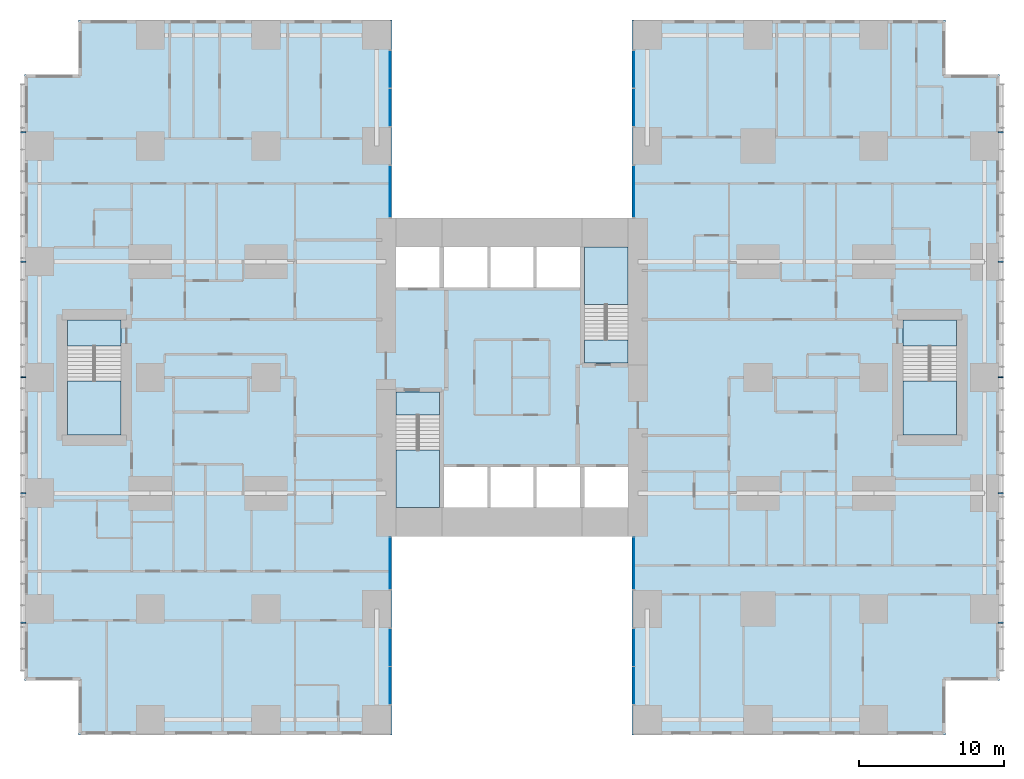
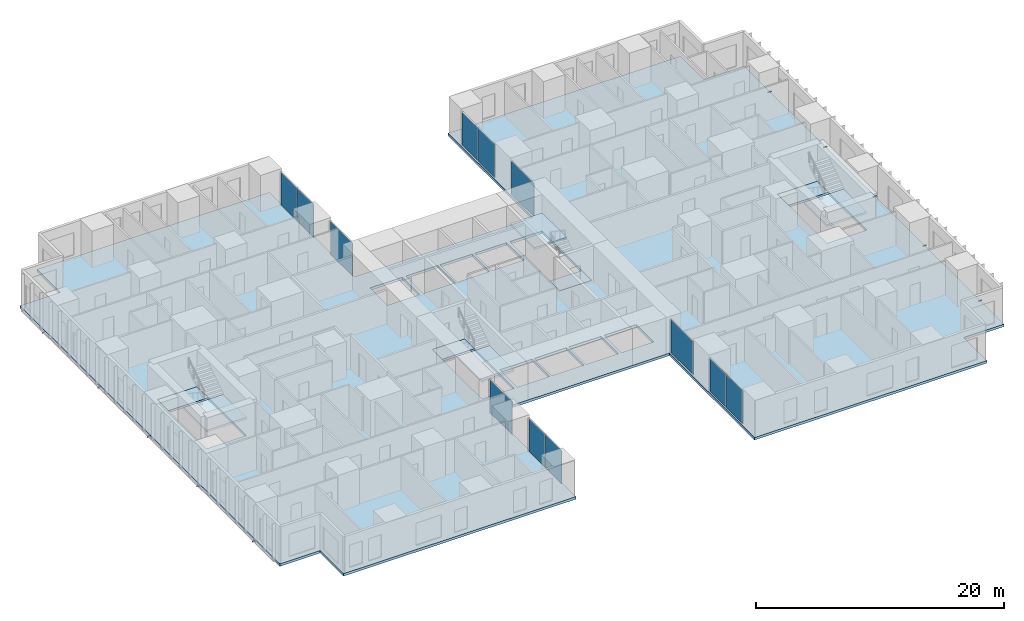
# One storey, part 7 of 21: 12 plates, 10 members, 9 slabs, 12 elements without a shape of their own.
"""IFC4 building model written with IfcOpenShell, lengths in metres."""

from ifc_helpers import new_model, si_unit, direction, frame, origin, origin_2d, place, context, subcontext, project, spatial, polyline, rectangle, hollow_rectangle, outline, extrude, material, layer, layer_set, material_profile, profile_set, type_object, element, aggregate, save


model = new_model("IFC4")

# Units and contexts
model_context = context("Model", 3, precision=1e-05, world=origin(), true_north=direction((0.0, 1.0)))
body_context = subcontext(model_context, "Body", "Model", "MODEL_VIEW")
ifc_project = project(units=[si_unit("LENGTHUNIT", "METRE"), si_unit("AREAUNIT", "SQUARE_METRE"), si_unit("VOLUMEUNIT", "CUBIC_METRE"), si_unit("PLANEANGLEUNIT", "RADIAN"), si_unit("MASSUNIT", "GRAM", prefix="KILO")], contexts=[model_context])

# Site, building, storey
site_placement = place(None, origin())
site = spatial("IfcSite", under=ifc_project, at=site_placement, CompositionType="ELEMENT")
building_placement = place(site_placement, origin())
building = spatial("IfcBuilding", under=site, at=building_placement, Name="Cleftline Residences", CompositionType="ELEMENT")
storey_placement = place(building_placement, frame((0.0, 0.0, 161.0)))
storey = spatial("IfcBuildingStorey", under=building, at=storey_placement, Name="L42", CompositionType="ELEMENT", Elevation=161.0)

# Members
ifc_material_1 = material(Name="Steel S355, hot-dip galvanised", Category="steel")
ifc_material_profile = material_profile(ifc_material_1, hollow_rectangle(XDim=0.10009765625, YDim=0.10009765625, WallThickness=0.008056640625, InnerFilletRadius=0.008056640625, OuterFilletRadius=0.011962890625, at=origin_2d()))
ifc_profile_set = profile_set([ifc_material_profile], Name="Steel S355, hot-dip galvanised")
member_type = type_object("IfcMemberType", Name="BAGUETTE BRACKET SHS 100X100X8", PredefinedType="USERDEFINED", material=ifc_profile_set)
for number, where, z_axis, x_axis, name in (
    (1, (66.60009765625, 7.050048828125, -0.14990234375), (1.0, 0.0, 0.0), (0.0, 1.0, 0.0), "Baguette bracket"),
    (2, (66.60009765625, 16.0, -0.14990234375), (1.0, 0.0, 0.0), (0.0, 1.0, 0.0), "Baguette bracket"),
    (3, (66.60009765625, 24.0, -0.14990234375), (1.0, 0.0, 0.0), (0.0, 1.0, 0.0), "Baguette bracket"),
    (4, (66.60009765625, 32.0, -0.14990234375), (1.0, 0.0, 0.0), (0.0, 1.0, 0.0), "Baguette bracket"),
    (5, (66.60009765625, 40.949951171875, -0.14990234375), (1.0, 0.0, 0.0), (0.0, 1.0, 0.0), "Baguette bracket"),
    (6, (-0.60009765625, 40.949951171875, -0.14990234375), (-1.0, 0.0, 0.0), (0.0, -1.0, 0.0), "Baguette bracket"),
    (7, (-0.60009765625, 32.0, -0.14990234375), (-1.0, 0.0, 0.0), (0.0, -1.0, 0.0), "Baguette bracket"),
    (8, (-0.60009765625, 24.0, -0.14990234375), (-1.0, 0.0, 0.0), (0.0, -1.0, 0.0), "Baguette bracket"),
    (9, (-0.60009765625, 16.0, -0.14990234375), (-1.0, 0.0, 0.0), (0.0, -1.0, 0.0), "Baguette bracket"),
    (10, (-0.60009765625, 7.050048828125, -0.14990234375), (-1.0, 0.0, 0.0), (0.0, -1.0, 0.0), "Baguette bracket"),
):
    element("IfcMember", number, at=place(storey_placement, frame(where, z_axis=z_axis, x_axis=x_axis)), inside=storey, type_object=member_type, Name=name, ObjectType="BAGUETTE BRACKET", PredefinedType="USERDEFINED", context=body_context, shape_type="SweptSolid", body=[
        extrude(hollow_rectangle(XDim=0.10009765625, YDim=0.10009765625, WallThickness=0.008056640625, InnerFilletRadius=0.008056640625, OuterFilletRadius=0.011962890625, at=origin_2d()), origin(), (0.0, 0.0, 1.0), 0.349853515625),
    ])

# Curtain wall, plates
ifc_material_2 = material(Name="Aluminium framed curtain wall", Category="aluminium")
ifc_layer_1 = layer(ifc_material_2, 0.199951171875)
ifc_layer_set_1 = layer_set([ifc_layer_1], Name="CW1 CLEFT GLAZING")
curtain_wall_type = type_object("IfcCurtainWallType", Name="CW1 CLEFT GLAZING", PredefinedType="NOTDEFINED", material=ifc_layer_set_1)
curtain_wall_1_placement = place(storey_placement, origin())
curtain_wall_1 = element("IfcCurtainWall", 11, at=curtain_wall_1_placement, inside=storey, type_object=curtain_wall_type, Name="Curtain wall CW1", PredefinedType="NOTDEFINED")
ifc_material_3 = material(Name="Laminated clear glass", Category="glass")
ifc_layer_2 = layer(ifc_material_3, 0.028076171875)
ifc_layer_set_2 = layer_set([ifc_layer_2], Name="CW1 GLASS PANEL")
plate_type = type_object("IfcPlateType", Name="CW1 GLASS PANEL", PredefinedType="CURTAIN_PANEL", material=ifc_layer_set_2)
plate_1_placement = place(storey_placement, frame((24.574951171875, 2.702392578125, 0.06005859375), z_axis=(0.0, 0.0, 1.0), x_axis=(0.0, 1.0, 0.0)))
plate_1 = element("IfcPlate", 12, at=plate_1_placement, type_object=plate_type, Name="CW1 panel 1.1", PredefinedType="CURTAIN_PANEL", context=body_context, shape_type="SweptSolid", body=[
    extrude(rectangle(XDim=2.5849609375, YDim=0.028076171875, at=origin_2d()), origin(), (0.0, 0.0, 1.0), 3.22998046875),
])
plate_2_placement = place(storey_placement, frame((24.574951171875, 5.347412109375, 0.06005859375), z_axis=(0.0, 0.0, 1.0), x_axis=(0.0, 1.0, 0.0)))
plate_2 = element("IfcPlate", 13, at=plate_2_placement, type_object=plate_type, Name="CW1 panel 2.1", PredefinedType="CURTAIN_PANEL", context=body_context, shape_type="SweptSolid", body=[
    extrude(rectangle(XDim=2.5849609375, YDim=0.028076171875, at=origin_2d()), origin(), (0.0, 0.0, 1.0), 3.22998046875),
])
aggregate(curtain_wall_1, [plate_1, plate_2])

# Curtain wall, plate
curtain_wall_2_placement = place(storey_placement, origin())
curtain_wall_2 = element("IfcCurtainWall", 14, at=curtain_wall_2_placement, inside=storey, type_object=curtain_wall_type, Name="Curtain wall CW1", PredefinedType="NOTDEFINED")
plate_3_placement = place(storey_placement, frame((24.574951171875, 11.14990234375, 0.06005859375), z_axis=(0.0, 0.0, 1.0), x_axis=(0.0, 1.0, 0.0)))
plate_3 = element("IfcPlate", 15, at=plate_3_placement, type_object=plate_type, Name="CW1 panel 1.1", PredefinedType="CURTAIN_PANEL", context=body_context, shape_type="SweptSolid", body=[
    extrude(rectangle(XDim=3.580078125, YDim=0.028076171875, at=origin_2d()), origin(), (0.0, 0.0, 1.0), 3.22998046875),
])
aggregate(curtain_wall_2, [plate_3])

curtain_wall_3_placement = place(storey_placement, origin())
curtain_wall_3 = element("IfcCurtainWall", 16, at=curtain_wall_3_placement, inside=storey, type_object=curtain_wall_type, Name="Curtain wall CW1", PredefinedType="NOTDEFINED")
plate_4_placement = place(storey_placement, frame((41.425048828125, 11.14990234375, 0.06005859375), z_axis=(0.0, 0.0, 1.0), x_axis=(0.0, -1.0, 0.0)))
plate_4 = element("IfcPlate", 17, at=plate_4_placement, type_object=plate_type, Name="CW1 panel 1.1", PredefinedType="CURTAIN_PANEL", context=body_context, shape_type="SweptSolid", body=[
    extrude(rectangle(XDim=3.580078125, YDim=0.028076171875, at=origin_2d()), origin(), (0.0, 0.0, 1.0), 3.22998046875),
])
aggregate(curtain_wall_3, [plate_4])

# Curtain wall, plates
curtain_wall_4_placement = place(storey_placement, origin())
curtain_wall_4 = element("IfcCurtainWall", 18, at=curtain_wall_4_placement, inside=storey, type_object=curtain_wall_type, Name="Curtain wall CW1", PredefinedType="NOTDEFINED")
plate_5_placement = place(storey_placement, frame((41.425048828125, 5.347412109375, 0.06005859375), z_axis=(0.0, 0.0, 1.0), x_axis=(0.0, -1.0, 0.0)))
plate_5 = element("IfcPlate", 19, at=plate_5_placement, type_object=plate_type, Name="CW1 panel 1.1", PredefinedType="CURTAIN_PANEL", context=body_context, shape_type="SweptSolid", body=[
    extrude(rectangle(XDim=2.5849609375, YDim=0.028076171875, at=origin_2d()), origin(), (0.0, 0.0, 1.0), 3.22998046875),
])
plate_6_placement = place(storey_placement, frame((41.425048828125, 2.702392578125, 0.06005859375), z_axis=(0.0, 0.0, 1.0), x_axis=(0.0, -1.0, 0.0)))
plate_6 = element("IfcPlate", 20, at=plate_6_placement, type_object=plate_type, Name="CW1 panel 2.1", PredefinedType="CURTAIN_PANEL", context=body_context, shape_type="SweptSolid", body=[
    extrude(rectangle(XDim=2.5849609375, YDim=0.028076171875, at=origin_2d()), origin(), (0.0, 0.0, 1.0), 3.22998046875),
])
aggregate(curtain_wall_4, [plate_5, plate_6])

curtain_wall_5_placement = place(storey_placement, origin())
curtain_wall_5 = element("IfcCurtainWall", 21, at=curtain_wall_5_placement, inside=storey, type_object=curtain_wall_type, Name="Curtain wall CW1", PredefinedType="NOTDEFINED")
plate_7_placement = place(storey_placement, frame((41.425048828125, 45.297607421875, 0.06005859375), z_axis=(0.0, 0.0, 1.0), x_axis=(0.0, -1.0, 0.0)))
plate_7 = element("IfcPlate", 22, at=plate_7_placement, type_object=plate_type, Name="CW1 panel 1.1", PredefinedType="CURTAIN_PANEL", context=body_context, shape_type="SweptSolid", body=[
    extrude(rectangle(XDim=2.5849609375, YDim=0.028076171875, at=origin_2d()), origin(), (0.0, 0.0, 1.0), 3.22998046875),
])
plate_8_placement = place(storey_placement, frame((41.425048828125, 42.652587890625, 0.06005859375), z_axis=(0.0, 0.0, 1.0), x_axis=(0.0, -1.0, 0.0)))
plate_8 = element("IfcPlate", 23, at=plate_8_placement, type_object=plate_type, Name="CW1 panel 2.1", PredefinedType="CURTAIN_PANEL", context=body_context, shape_type="SweptSolid", body=[
    extrude(rectangle(XDim=2.5849609375, YDim=0.028076171875, at=origin_2d()), origin(), (0.0, 0.0, 1.0), 3.22998046875),
])
aggregate(curtain_wall_5, [plate_7, plate_8])

# Curtain wall, plate
curtain_wall_6_placement = place(storey_placement, origin())
curtain_wall_6 = element("IfcCurtainWall", 24, at=curtain_wall_6_placement, inside=storey, type_object=curtain_wall_type, Name="Curtain wall CW1", PredefinedType="NOTDEFINED")
plate_9_placement = place(storey_placement, frame((41.425048828125, 36.85009765625, 0.06005859375), z_axis=(0.0, 0.0, 1.0), x_axis=(0.0, -1.0, 0.0)))
plate_9 = element("IfcPlate", 25, at=plate_9_placement, type_object=plate_type, Name="CW1 panel 1.1", PredefinedType="CURTAIN_PANEL", context=body_context, shape_type="SweptSolid", body=[
    extrude(rectangle(XDim=3.580078125, YDim=0.028076171875, at=origin_2d()), origin(), (0.0, 0.0, 1.0), 3.22998046875),
])
aggregate(curtain_wall_6, [plate_9])

curtain_wall_7_placement = place(storey_placement, origin())
curtain_wall_7 = element("IfcCurtainWall", 26, at=curtain_wall_7_placement, inside=storey, type_object=curtain_wall_type, Name="Curtain wall CW1", PredefinedType="NOTDEFINED")
plate_10_placement = place(storey_placement, frame((24.574951171875, 36.85009765625, 0.06005859375), z_axis=(0.0, 0.0, 1.0), x_axis=(0.0, 1.0, 0.0)))
plate_10 = element("IfcPlate", 27, at=plate_10_placement, type_object=plate_type, Name="CW1 panel 1.1", PredefinedType="CURTAIN_PANEL", context=body_context, shape_type="SweptSolid", body=[
    extrude(rectangle(XDim=3.580078125, YDim=0.028076171875, at=origin_2d()), origin(), (0.0, 0.0, 1.0), 3.22998046875),
])
aggregate(curtain_wall_7, [plate_10])

# Curtain wall, plates
curtain_wall_8_placement = place(storey_placement, origin())
curtain_wall_8 = element("IfcCurtainWall", 28, at=curtain_wall_8_placement, inside=storey, type_object=curtain_wall_type, Name="Curtain wall CW1", PredefinedType="NOTDEFINED")
plate_11_placement = place(storey_placement, frame((24.574951171875, 42.652587890625, 0.06005859375), z_axis=(0.0, 0.0, 1.0), x_axis=(0.0, 1.0, 0.0)))
plate_11 = element("IfcPlate", 29, at=plate_11_placement, type_object=plate_type, Name="CW1 panel 1.1", PredefinedType="CURTAIN_PANEL", context=body_context, shape_type="SweptSolid", body=[
    extrude(rectangle(XDim=2.5849609375, YDim=0.028076171875, at=origin_2d()), origin(), (0.0, 0.0, 1.0), 3.22998046875),
])
plate_12_placement = place(storey_placement, frame((24.574951171875, 45.297607421875, 0.06005859375), z_axis=(0.0, 0.0, 1.0), x_axis=(0.0, 1.0, 0.0)))
plate_12 = element("IfcPlate", 30, at=plate_12_placement, type_object=plate_type, Name="CW1 panel 2.1", PredefinedType="CURTAIN_PANEL", context=body_context, shape_type="SweptSolid", body=[
    extrude(rectangle(XDim=2.5849609375, YDim=0.028076171875, at=origin_2d()), origin(), (0.0, 0.0, 1.0), 3.22998046875),
])
aggregate(curtain_wall_8, [plate_11, plate_12])

# Slab
ifc_material_4 = material(Name="Concrete B45", Category="concrete")
ifc_layer_3 = layer(ifc_material_4, 0.25)
ifc_layer_set_3 = layer_set([ifc_layer_3], Name="FLOOR SLAB 250")
slab_type_1 = type_object("IfcSlabType", Name="FLOOR SLAB 250", PredefinedType="FLOOR", material=ifc_layer_set_3)
slab_1_placement = place(storey_placement, frame((0.0, 0.0, -0.25)))
element("IfcSlab", 31, at=slab_1_placement, inside=storey, type_object=slab_type_1, Name="Floor slab L42", PredefinedType="FLOOR", context=body_context, shape_type="SweptSolid", body=[
    extrude(outline(polyline([(24.699951171875, 13.0), (41.300048828125, 13.0), (41.300048828125, -0.699951171875), (62.949951171875, -0.699951171875), (62.949951171875, 3.050048828125), (66.699951171875, 3.050048828125), (66.699951171875, 44.949951171875), (62.949951171875, 44.949951171875), (62.949951171875, 48.699951171875), (41.300048828125, 48.699951171875), (41.300048828125, 35.0), (24.699951171875, 35.0), (24.699951171875, 48.699951171875), (3.050048828125, 48.699951171875), (3.050048828125, 44.949951171875), (-0.699951171875, 44.949951171875), (-0.699951171875, 3.050048828125), (3.050048828125, 3.050048828125), (3.050048828125, -0.699951171875), (24.699951171875, -0.699951171875), (24.699951171875, 13.0)]), holes=[polyline([(28.0, 15.0), (28.0, 23.0), (25.0, 23.0), (25.0, 15.0), (28.0, 15.0)]), polyline([(41.0, 25.0), (41.0, 33.0), (38.0, 33.0), (38.0, 25.0), (41.0, 25.0)]), polyline([(28.0, 30.199951171875), (28.0, 33.0), (25.0, 33.0), (25.0, 30.199951171875), (28.0, 30.199951171875)]), polyline([(41.0, 15.0), (41.0, 17.800048828125), (38.0, 17.800048828125), (38.0, 15.0), (41.0, 15.0)]), polyline([(31.300048828125, 15.0), (31.300048828125, 17.800048828125), (28.300048828125, 17.800048828125), (28.300048828125, 15.0), (31.300048828125, 15.0)]), polyline([(34.5, 15.0), (34.5, 17.800048828125), (31.5, 17.800048828125), (31.5, 15.0), (34.5, 15.0)]), polyline([(37.699951171875, 15.0), (37.699951171875, 17.800048828125), (34.699951171875, 17.800048828125), (34.699951171875, 15.0), (37.699951171875, 15.0)]), polyline([(31.300048828125, 30.199951171875), (31.300048828125, 33.0), (28.300048828125, 33.0), (28.300048828125, 30.199951171875), (31.300048828125, 30.199951171875)]), polyline([(34.5, 30.199951171875), (34.5, 33.0), (31.5, 33.0), (31.5, 30.199951171875), (34.5, 30.199951171875)]), polyline([(37.699951171875, 30.199951171875), (37.699951171875, 33.0), (34.699951171875, 33.0), (34.699951171875, 30.199951171875), (37.699951171875, 30.199951171875)]), polyline([(63.72509765625, 20.02490234375), (63.72509765625, 27.97509765625), (60.02490234375, 27.97509765625), (60.02490234375, 20.02490234375), (63.72509765625, 20.02490234375)]), polyline([(5.97509765625, 20.02490234375), (5.97509765625, 27.97509765625), (2.27490234375, 27.97509765625), (2.27490234375, 20.02490234375), (5.97509765625, 20.02490234375)])]), origin(), (0.0, 0.0, 1.0), 0.25),
])

# Stair, slabs
ifc_material_5 = material(Name="Concrete B45, stone treads", Category="masonry")
stair_type_1 = type_object("IfcStairType", Name="STAIR A 1450 WIDE 180 RISER", PredefinedType="HALF_TURN_STAIR", material=ifc_material_5)
stair_1_placement = place(storey_placement, origin())
stair_1 = element("IfcStair", 32, at=stair_1_placement, inside=storey, type_object=stair_type_1, Name="Stair A L42", PredefinedType="HALF_TURN_STAIR")
ifc_material_6 = material(Name="Concrete B45", Category="concrete")
ifc_layer_4 = layer(ifc_material_6, 0.199951171875)
ifc_layer_set_4 = layer_set([ifc_layer_4], Name="STAIR LANDING 200")
slab_type_2 = type_object("IfcSlabType", Name="STAIR LANDING 200", PredefinedType="LANDING", material=ifc_layer_set_4)
slab_2_placement = place(storey_placement, frame((0.0, 0.0, -0.199951171875)))
slab_2 = element("IfcSlab", 33, at=slab_2_placement, type_object=slab_type_2, Name="ST-A landing 1", PredefinedType="LANDING", context=body_context, shape_type="SweptSolid", body=[
    extrude(outline(polyline([(25.0, 21.39990234375), (28.0, 21.39990234375), (28.0, 23.0), (25.0, 23.0), (25.0, 21.39990234375)])), origin(), (0.0, 0.0, 1.0), 0.199951171875),
])
slab_3_placement = place(storey_placement, frame((0.0, 0.0, 1.60009765625)))
slab_3 = element("IfcSlab", 34, at=slab_3_placement, type_object=slab_type_2, Name="ST-A landing 2", PredefinedType="LANDING", context=body_context, shape_type="SweptSolid", body=[
    extrude(outline(polyline([(25.0, 15.0), (28.0, 15.0), (28.0, 18.969970703125), (25.0, 18.969970703125), (25.0, 15.0)])), origin(), (0.0, 0.0, 1.0), 0.199951171875),
])
aggregate(stair_1, [slab_2, slab_3])

ifc_material_7 = material(Name="Concrete B45, stone treads", Category="masonry")
stair_type_2 = type_object("IfcStairType", Name="STAIR B 1450 WIDE 180 RISER", PredefinedType="HALF_TURN_STAIR", material=ifc_material_7)
stair_2_placement = place(storey_placement, origin())
stair_2 = element("IfcStair", 35, at=stair_2_placement, inside=storey, type_object=stair_type_2, Name="Stair B L42", PredefinedType="HALF_TURN_STAIR")
slab_4_placement = place(storey_placement, frame((0.0, 0.0, -0.199951171875)))
slab_4 = element("IfcSlab", 36, at=slab_4_placement, type_object=slab_type_2, Name="ST-B landing 1", PredefinedType="LANDING", context=body_context, shape_type="SweptSolid", body=[
    extrude(outline(polyline([(38.0, 25.0), (41.0, 25.0), (41.0, 26.60009765625), (38.0, 26.60009765625), (38.0, 25.0)])), origin(), (0.0, 0.0, 1.0), 0.199951171875),
])
slab_5_placement = place(storey_placement, frame((0.0, 0.0, 1.60009765625)))
slab_5 = element("IfcSlab", 37, at=slab_5_placement, type_object=slab_type_2, Name="ST-B landing 2", PredefinedType="LANDING", context=body_context, shape_type="SweptSolid", body=[
    extrude(outline(polyline([(38.0, 29.030029296875), (41.0, 29.030029296875), (41.0, 33.0), (38.0, 33.0), (38.0, 29.030029296875)])), origin(), (0.0, 0.0, 1.0), 0.199951171875),
])
aggregate(stair_2, [slab_4, slab_5])

ifc_material_8 = material(Name="Concrete B45, stone treads", Category="masonry")
stair_type_3 = type_object("IfcStairType", Name="STAIR E 1800 WIDE 180 RISER", PredefinedType="HALF_TURN_STAIR", material=ifc_material_8)
stair_3_placement = place(storey_placement, origin())
stair_3 = element("IfcStair", 38, at=stair_3_placement, inside=storey, type_object=stair_type_3, Name="Stair E L42", PredefinedType="HALF_TURN_STAIR")
slab_6_placement = place(storey_placement, frame((0.0, 0.0, -0.199951171875)))
slab_6 = element("IfcSlab", 39, at=slab_6_placement, type_object=slab_type_2, Name="ST-E landing 1", PredefinedType="LANDING", context=body_context, shape_type="SweptSolid", body=[
    extrude(outline(polyline([(60.02490234375, 26.175048828125), (63.72509765625, 26.175048828125), (63.72509765625, 27.97509765625), (60.02490234375, 27.97509765625), (60.02490234375, 26.175048828125)])), origin(), (0.0, 0.0, 1.0), 0.199951171875),
])
slab_7_placement = place(storey_placement, frame((0.0, 0.0, 1.60009765625)))
slab_7 = element("IfcSlab", 40, at=slab_7_placement, type_object=slab_type_2, Name="ST-E landing 2", PredefinedType="LANDING", context=body_context, shape_type="SweptSolid", body=[
    extrude(outline(polyline([(60.02490234375, 20.02490234375), (63.72509765625, 20.02490234375), (63.72509765625, 23.7451171875), (60.02490234375, 23.7451171875), (60.02490234375, 20.02490234375)])), origin(), (0.0, 0.0, 1.0), 0.199951171875),
])
aggregate(stair_3, [slab_6, slab_7])

ifc_material_9 = material(Name="Concrete B45, stone treads", Category="masonry")
stair_type_4 = type_object("IfcStairType", Name="STAIR W 1800 WIDE 180 RISER", PredefinedType="HALF_TURN_STAIR", material=ifc_material_9)
stair_4_placement = place(storey_placement, origin())
stair_4 = element("IfcStair", 41, at=stair_4_placement, inside=storey, type_object=stair_type_4, Name="Stair W L42", PredefinedType="HALF_TURN_STAIR")
slab_8_placement = place(storey_placement, frame((0.0, 0.0, -0.199951171875)))
slab_8 = element("IfcSlab", 42, at=slab_8_placement, type_object=slab_type_2, Name="ST-W landing 1", PredefinedType="LANDING", context=body_context, shape_type="SweptSolid", body=[
    extrude(outline(polyline([(2.27490234375, 26.175048828125), (5.97509765625, 26.175048828125), (5.97509765625, 27.97509765625), (2.27490234375, 27.97509765625), (2.27490234375, 26.175048828125)])), origin(), (0.0, 0.0, 1.0), 0.199951171875),
])
slab_9_placement = place(storey_placement, frame((0.0, 0.0, 1.60009765625)))
slab_9 = element("IfcSlab", 43, at=slab_9_placement, type_object=slab_type_2, Name="ST-W landing 2", PredefinedType="LANDING", context=body_context, shape_type="SweptSolid", body=[
    extrude(outline(polyline([(2.27490234375, 20.02490234375), (5.97509765625, 20.02490234375), (5.97509765625, 23.7451171875), (2.27490234375, 23.7451171875), (2.27490234375, 20.02490234375)])), origin(), (0.0, 0.0, 1.0), 0.199951171875),
])
aggregate(stair_4, [slab_8, slab_9])

save(model, "model.ifc")
